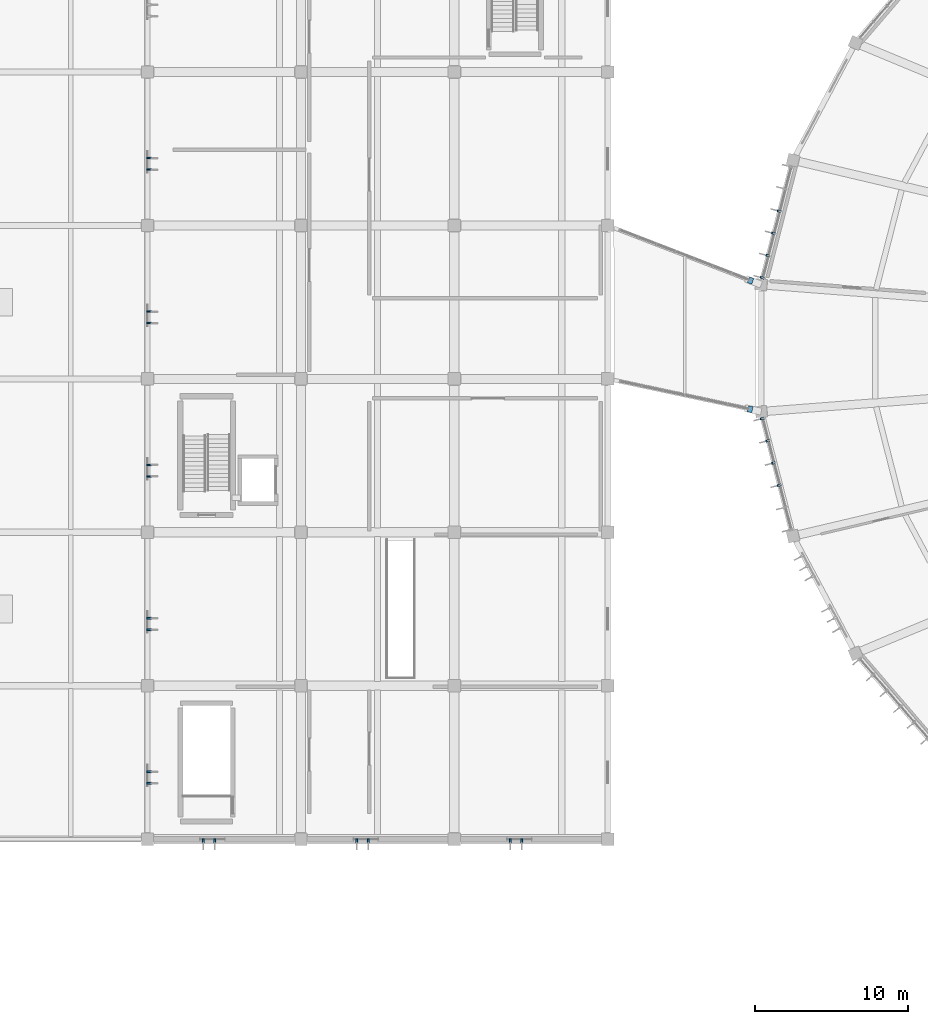
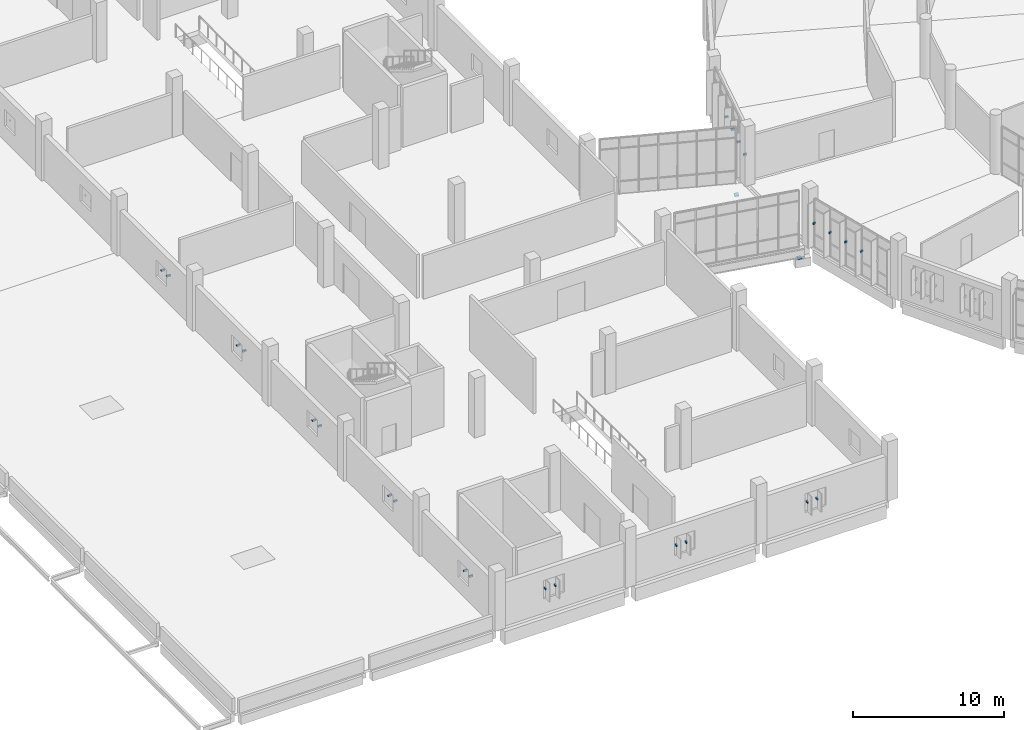
# One storey, part 134 of 179: 26 discrete accessories.
"""IFC4 building model written with IfcOpenShell, lengths in metres."""

from ifc_helpers import new_model, si_unit, direction, frame, origin, origin_2d, place, context, subcontext, project, spatial, rectangle, extrude, material, type_object, element, save


model = new_model("IFC4")

# Units and contexts
model_context = context("Model", 3, precision=1e-05, world=origin(), true_north=direction((0.0, 1.0)))
body_context = subcontext(model_context, "Body", "Model", "MODEL_VIEW")
ifc_project = project(units=[si_unit("LENGTHUNIT", "METRE"), si_unit("AREAUNIT", "SQUARE_METRE"), si_unit("VOLUMEUNIT", "CUBIC_METRE"), si_unit("PLANEANGLEUNIT", "RADIAN"), si_unit("MASSUNIT", "GRAM", prefix="KILO")], contexts=[model_context])

# Site, building, storey
site_placement = place(None, origin())
site = spatial("IfcSite", under=ifc_project, at=site_placement, CompositionType="ELEMENT")
building_placement = place(site_placement, origin())
building = spatial("IfcBuilding", under=site, at=building_placement, Name="Corvandel Quay Wholesale Market", CompositionType="ELEMENT")
storey_placement = place(building_placement, frame((0.0, 0.0, 6.0)))
storey = spatial("IfcBuildingStorey", under=building, at=storey_placement, Name="L01", CompositionType="ELEMENT", Elevation=6.0)

# Discrete accessories
ifc_material_1 = material(Name="Austenitic stainless steel Grade 316", Category="steel")
discrete_accessory_type_1 = type_object("IfcDiscreteAccessoryType", Name="Stainless Solar Fin Fixing Bracket BRK01", PredefinedType="USERDEFINED", material=ifc_material_1)
for number, where, z_axis, x_axis, name in (
    (1, (61.16455078125, 50.93310546875, 1.9052734375), (0.0, 0.0, 1.0), (-0.968843057437, 0.247675453076, 0.0), "Fin Bracket 0034"),
    (2, (60.794189453125, 49.484619140625, 1.9052734375), (0.0, 0.0, 1.0), (-0.968843057437, 0.247675453076, 0.0), "Fin Bracket 0035"),
    (3, (60.423828125, 48.036376953125, 1.9052734375), (0.0, 0.0, 1.0), (-0.968843057437, 0.247675453076, 0.0), "Fin Bracket 0036"),
    (4, (60.053466796875, 46.587890625, 1.9052734375), (0.0, 0.0, 1.0), (-0.968843057437, 0.247675453076, 0.0), "Fin Bracket 0037"),
    (5, (60.053466796875, 37.412109375, 1.9052734375), (0.0, 0.0, 1.0), (0.968843057437, 0.247675453076, 0.0), "Fin Bracket 0040"),
    (6, (60.423828125, 35.963623046875, 1.9052734375), (0.0, 0.0, 1.0), (0.968843057437, 0.247675453076, 0.0), "Fin Bracket 0041"),
    (7, (60.794189453125, 34.515380859375, 1.9052734375), (0.0, 0.0, 1.0), (0.968843057437, 0.247675453076, 0.0), "Fin Bracket 0042"),
    (8, (61.16455078125, 33.06689453125, 1.9052734375), (0.0, 0.0, 1.0), (0.968843057437, 0.247675453076, 0.0), "Fin Bracket 0043"),
):
    element("IfcDiscreteAccessory", number, at=place(storey_placement, frame(where, z_axis=z_axis, x_axis=x_axis)), inside=storey, type_object=discrete_accessory_type_1, Name=name, ObjectType="BRACKET", PredefinedType="USERDEFINED", context=body_context, shape_type="SweptSolid", body=[
        extrude(rectangle(XDim=0.239990234375, YDim=0.1201171875, at=origin_2d()), origin(), (0.0, 0.0, 1.0), 0.139892578125),
    ])
for number, where, z_axis, x_axis, name in (
    (9, (20.10009765625, 13.639892578125, 1.80517578125), (0.0, 0.0, 1.0), (1.0, 0.0, 0.0), "Fin Bracket 0681"),
    (10, (20.10009765625, 14.389892578125, 1.80517578125), (0.0, 0.0, 1.0), (1.0, 0.0, 0.0), "Fin Bracket 0682"),
    (11, (20.10009765625, 23.639892578125, 1.80517578125), (0.0, 0.0, 1.0), (1.0, 0.0, 0.0), "Fin Bracket 0686"),
    (12, (20.10009765625, 24.389892578125, 1.80517578125), (0.0, 0.0, 1.0), (1.0, 0.0, 0.0), "Fin Bracket 0687"),
    (13, (20.10009765625, 33.639892578125, 1.80517578125), (0.0, 0.0, 1.0), (1.0, 0.0, 0.0), "Fin Bracket 0691"),
    (14, (20.10009765625, 34.389892578125, 1.80517578125), (0.0, 0.0, 1.0), (1.0, 0.0, 0.0), "Fin Bracket 0692"),
    (15, (20.10009765625, 43.639892578125, 1.80517578125), (0.0, 0.0, 1.0), (1.0, 0.0, 0.0), "Fin Bracket 0696"),
    (16, (20.10009765625, 44.389892578125, 1.80517578125), (0.0, 0.0, 1.0), (1.0, 0.0, 0.0), "Fin Bracket 0697"),
    (17, (20.10009765625, 53.639892578125, 1.80517578125), (0.0, 0.0, 1.0), (1.0, 0.0, 0.0), "Fin Bracket 0701"),
    (18, (20.10009765625, 54.389892578125, 1.80517578125), (0.0, 0.0, 1.0), (1.0, 0.0, 0.0), "Fin Bracket 0702"),
    (19, (23.639892578125, 9.89990234375, 1.830078125), (0.0, 0.0, 1.0), (0.0, 1.0, 0.0), "Fin Bracket 0740"),
    (20, (24.389892578125, 9.89990234375, 1.830078125), (0.0, 0.0, 1.0), (0.0, 1.0, 0.0), "Fin Bracket 0741"),
    (21, (33.639892578125, 9.89990234375, 1.830078125), (0.0, 0.0, 1.0), (0.0, 1.0, 0.0), "Fin Bracket 0745"),
    (22, (34.389892578125, 9.89990234375, 1.830078125), (0.0, 0.0, 1.0), (0.0, 1.0, 0.0), "Fin Bracket 0746"),
    (23, (43.639892578125, 9.89990234375, 1.830078125), (0.0, 0.0, 1.0), (0.0, 1.0, 0.0), "Fin Bracket 0750"),
    (24, (44.389892578125, 9.89990234375, 1.830078125), (0.0, 0.0, 1.0), (0.0, 1.0, 0.0), "Fin Bracket 0751"),
):
    element("IfcDiscreteAccessory", number, at=place(storey_placement, frame(where, z_axis=z_axis, x_axis=x_axis)), inside=storey, type_object=discrete_accessory_type_1, Name=name, ObjectType="BRACKET", PredefinedType="USERDEFINED", context=body_context, shape_type="SweptSolid", body=[
        extrude(rectangle(XDim=0.280029296875, YDim=0.1201171875, at=origin_2d()), origin(), (0.0, 0.0, 1.0), 0.139892578125),
    ])
ifc_material_2 = material(Name="PTFE elastomeric bearing assembly")
discrete_accessory_type_2 = type_object("IfcDiscreteAccessoryType", Name="Unguided Bi-Directional PTFE Sliding Bearing SBG01", PredefinedType="USERDEFINED", material=ifc_material_2)
for number, where, z_axis, x_axis, name in (
    (25, (59.2763671875, 38.017578125, -0.943115234375), (0.0, 0.0, 1.0), (-0.977929339831, 0.208935890402, 0.0), "PTFE Sliding Bearing SBG-007"),
    (26, (59.309814453125, 46.40380859375, -0.943115234375), (0.0, 0.0, 1.0), (-0.932827815397, 0.3603224484, 0.0), "PTFE Sliding Bearing SBG-008"),
):
    element("IfcDiscreteAccessory", number, at=place(storey_placement, frame(where, z_axis=z_axis, x_axis=x_axis)), inside=storey, type_object=discrete_accessory_type_2, Name=name, ObjectType="SLIDING BEARING", PredefinedType="USERDEFINED", context=body_context, shape_type="SweptSolid", body=[
        extrude(rectangle(XDim=0.300048828125, YDim=0.39990234375, at=origin_2d()), origin(), (0.0, 0.0, 1.0), 0.0400390625),
    ])

save(model, "model.ifc")
